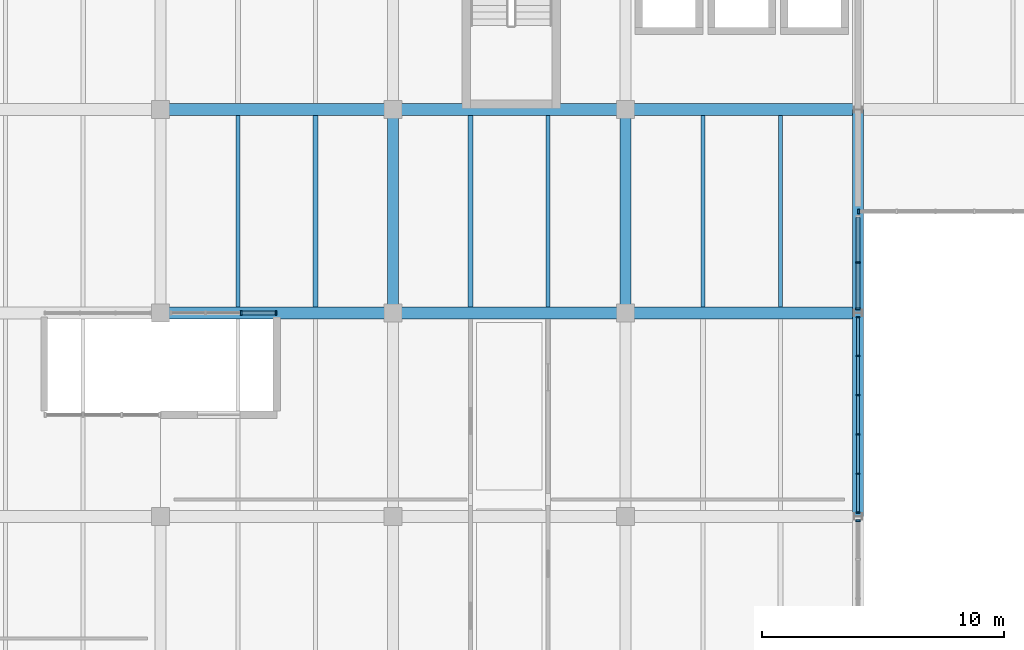
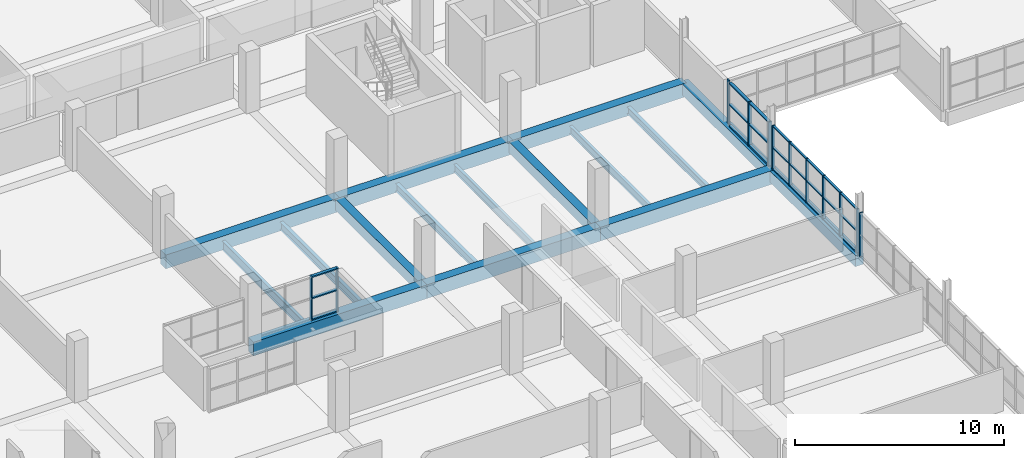
# One storey, part 35 of 147: 36 members, 16 beams, 5 elements without a shape of their own.
"""IFC4 building model written with IfcOpenShell, lengths in metres."""

from ifc_helpers import new_model, si_unit, direction, frame, origin, origin_2d, place, context, subcontext, project, spatial, rectangle, i_section, extrude, material, material_profile, profile_set, type_object, element, aggregate, save


model = new_model("IFC4")

# Units and contexts
model_context = context("Model", 3, precision=1e-05, world=origin(), true_north=direction((0.0, 1.0)))
body_context = subcontext(model_context, "Body", "Model", "MODEL_VIEW")
ifc_project = project(units=[si_unit("LENGTHUNIT", "METRE"), si_unit("AREAUNIT", "SQUARE_METRE"), si_unit("VOLUMEUNIT", "CUBIC_METRE"), si_unit("PLANEANGLEUNIT", "RADIAN"), si_unit("MASSUNIT", "GRAM", prefix="KILO")], contexts=[model_context])

# Site, building, storey
site_placement = place(None, origin())
site = spatial("IfcSite", under=ifc_project, at=site_placement, CompositionType="ELEMENT")
building_placement = place(site_placement, origin())
building = spatial("IfcBuilding", under=site, at=building_placement, Name="Oolite Switchyard Hospital", CompositionType="ELEMENT")
storey_placement = place(building_placement, frame((0.0, 0.0, 9.89990234375)))
storey = spatial("IfcBuildingStorey", under=building, at=storey_placement, Name="L02", CompositionType="ELEMENT", Elevation=9.89990234375)

# Beams
ifc_material_1 = material(Name="Concrete C40/50", Category="concrete")
ifc_material_profile_1 = material_profile(ifc_material_1, rectangle(XDim=0.449951171875, YDim=0.64990234375, at=origin_2d()), Name="RCB450X650")
ifc_profile_set_1 = profile_set([ifc_material_profile_1], Name="Concrete C40/50")
beam_type_1 = type_object("IfcBeamType", Name="BM-RC450X650", PredefinedType="BEAM", material=ifc_profile_set_1)
for number, where, z_axis, x_axis, name in (
    (1, (38.39990234375, 84.0, -0.324951171875), (0.0, 1.0, 0.0), (-1.0, 0.0, 0.0), "L02 Y-Girder 1318"),
    (2, (48.0, 84.0, -0.324951171875), (0.0, 1.0, 0.0), (-1.0, 0.0, 0.0), "L02 Y-Girder 1334"),
    (3, (57.60009765625, 75.60009765625, -0.324951171875), (0.0, 1.0, 0.0), (-1.0, 0.0, 0.0), "L02 Y-Girder 1349"),
    (4, (57.60009765625, 84.0, -0.324951171875), (0.0, 1.0, 0.0), (-1.0, 0.0, 0.0), "L02 Y-Girder 1350"),
):
    element("IfcBeam", number, at=place(storey_placement, frame(where, z_axis=z_axis, x_axis=x_axis)), inside=storey, type_object=beam_type_1, Name=name, PredefinedType="BEAM", context=body_context, shape_type="SweptSolid", body=[
        extrude(rectangle(XDim=0.449951171875, YDim=0.64990234375, at=origin_2d()), origin(), (0.0, 0.0, 1.0), 8.39990234375),
    ])
ifc_material_profile_2 = material_profile(ifc_material_1, rectangle(XDim=0.5, YDim=0.800048828125, at=origin_2d()), Name="RCB500X800")
ifc_profile_set_2 = profile_set([ifc_material_profile_2], Name="Concrete C40/50")
beam_type_2 = type_object("IfcBeamType", Name="BM-RC500X800", PredefinedType="BEAM", material=ifc_profile_set_2)
beam_1_placement = place(storey_placement, frame((28.800048828125, 84.0, -0.39990234375), z_axis=(1.0, 0.0, 0.0), x_axis=(0.0, 1.0, 0.0)))
element("IfcBeam", 5, at=beam_1_placement, inside=storey, type_object=beam_type_2, Name="L02 X-Girder 1128", PredefinedType="BEAM", context=body_context, shape_type="SweptSolid", body=[
    extrude(rectangle(XDim=0.5, YDim=0.800048828125, at=origin_2d()), origin(), (0.0, 0.0, 1.0), 9.599853515625),
])
for number, where, z_axis, x_axis, name in (
    (6, (38.39990234375, 84.0, -0.39990234375), (1.0, 0.0, 0.0), (0.0, 1.0, 0.0), "L02 X-Girder 1129"),
    (7, (48.0, 84.0, -0.39990234375), (1.0, 0.0, 0.0), (0.0, 1.0, 0.0), "L02 X-Girder 1130"),
):
    element("IfcBeam", number, at=place(storey_placement, frame(where, z_axis=z_axis, x_axis=x_axis)), inside=storey, type_object=beam_type_2, Name=name, PredefinedType="BEAM", context=body_context, shape_type="SweptSolid", body=[
        extrude(rectangle(XDim=0.5, YDim=0.800048828125, at=origin_2d()), origin(), (0.0, 0.0, 1.0), 9.60009765625),
    ])
beam_2_placement = place(storey_placement, frame((28.800048828125, 92.39990234375, -0.39990234375), z_axis=(1.0, 0.0, 0.0), x_axis=(0.0, 1.0, 0.0)))
element("IfcBeam", 8, at=beam_2_placement, inside=storey, type_object=beam_type_2, Name="L02 X-Girder 1145", PredefinedType="BEAM", context=body_context, shape_type="SweptSolid", body=[
    extrude(rectangle(XDim=0.5, YDim=0.800048828125, at=origin_2d()), origin(), (0.0, 0.0, 1.0), 9.599853515625),
])
for number, where, z_axis, x_axis, name in (
    (9, (38.39990234375, 92.39990234375, -0.39990234375), (1.0, 0.0, 0.0), (0.0, 1.0, 0.0), "L02 X-Girder 1146"),
    (10, (48.0, 92.39990234375, -0.39990234375), (1.0, 0.0, 0.0), (0.0, 1.0, 0.0), "L02 X-Girder 1147"),
):
    element("IfcBeam", number, at=place(storey_placement, frame(where, z_axis=z_axis, x_axis=x_axis)), inside=storey, type_object=beam_type_2, Name=name, PredefinedType="BEAM", context=body_context, shape_type="SweptSolid", body=[
        extrude(rectangle(XDim=0.5, YDim=0.800048828125, at=origin_2d()), origin(), (0.0, 0.0, 1.0), 9.60009765625),
    ])
ifc_material_2 = material(Name="Steel ASTM A992 Grade 50", Category="steel")
ifc_material_profile_3 = material_profile(ifc_material_2, i_section(OverallWidth=0.179931640625, OverallDepth=0.4130859375, WebThickness=0.010009765625, FlangeThickness=0.01611328125, at=origin_2d()), Name="W16X50")
ifc_profile_set_3 = profile_set([ifc_material_profile_3], Name="Steel ASTM A992 Grade 50")
beam_type_3 = type_object("IfcBeamType", Name="BM-W16X50", PredefinedType="JOIST", material=ifc_profile_set_3)
beam_3_placement = place(storey_placement, frame((54.39990234375, 84.25, -0.4658203125), z_axis=(0.0, 1.0, 0.0), x_axis=(-1.0, 0.0, 0.0)))
element("IfcBeam", 11, at=beam_3_placement, inside=storey, type_object=beam_type_3, Name="L02 Secondary Steel Joist 1671", PredefinedType="JOIST", context=body_context, shape_type="SweptSolid", body=[
    extrude(i_section(OverallWidth=0.179931640625, OverallDepth=0.4130859375, WebThickness=0.010009765625, FlangeThickness=0.01611328125, at=origin_2d()), origin(), (0.0, 0.0, 1.0), 7.89990234375),
])
ifc_material_profile_4 = material_profile(ifc_material_2, i_section(OverallWidth=0.153076171875, OverallDepth=0.455078125, WebThickness=0.008056640625, FlangeThickness=0.012939453125, at=origin_2d()), Name="W18X40")
ifc_profile_set_4 = profile_set([ifc_material_profile_4], Name="Steel ASTM A992 Grade 50")
beam_type_4 = type_object("IfcBeamType", Name="BM-W18X40", PredefinedType="JOIST", material=ifc_profile_set_4)
for number, where, z_axis, x_axis, name in (
    (12, (44.800048828125, 84.25, -0.48681640625), (0.0, 1.0, 0.0), (-1.0, 0.0, 0.0), "L02 Secondary Steel Joist 1643"),
    (13, (51.199951171875, 84.25, -0.48681640625), (0.0, 1.0, 0.0), (-1.0, 0.0, 0.0), "L02 Secondary Steel Joist 1670"),
):
    element("IfcBeam", number, at=place(storey_placement, frame(where, z_axis=z_axis, x_axis=x_axis)), inside=storey, type_object=beam_type_4, Name=name, PredefinedType="JOIST", context=body_context, shape_type="SweptSolid", body=[
        extrude(i_section(OverallWidth=0.153076171875, OverallDepth=0.455078125, WebThickness=0.008056640625, FlangeThickness=0.012939453125, at=origin_2d()), origin(), (0.0, 0.0, 1.0), 7.89990234375),
    ])
ifc_material_profile_5 = material_profile(ifc_material_2, i_section(OverallWidth=0.19091796875, OverallDepth=0.4599609375, WebThickness=0.010009765625, FlangeThickness=0.01611328125, at=origin_2d()), Name="W18X55")
ifc_profile_set_5 = profile_set([ifc_material_profile_5], Name="Steel ASTM A992 Grade 50")
beam_type_5 = type_object("IfcBeamType", Name="BM-W18X55", PredefinedType="JOIST", material=ifc_profile_set_5)
for number, where, z_axis, x_axis, name in (
    (14, (35.199951171875, 84.25, -0.489990234375), (0.0, 1.0, 0.0), (-1.0, 0.0, 0.0), "L02 Secondary Steel Joist 1613"),
    (15, (41.60009765625, 84.25, -0.489990234375), (0.0, 1.0, 0.0), (-1.0, 0.0, 0.0), "L02 Secondary Steel Joist 1642"),
):
    element("IfcBeam", number, at=place(storey_placement, frame(where, z_axis=z_axis, x_axis=x_axis)), inside=storey, type_object=beam_type_5, Name=name, PredefinedType="JOIST", context=body_context, shape_type="SweptSolid", body=[
        extrude(i_section(OverallWidth=0.19091796875, OverallDepth=0.4599609375, WebThickness=0.010009765625, FlangeThickness=0.01611328125, at=origin_2d()), origin(), (0.0, 0.0, 1.0), 7.89990234375),
    ])
ifc_material_profile_6 = material_profile(ifc_material_2, i_section(OverallWidth=0.166015625, OverallDepth=0.529052734375, WebThickness=0.010009765625, FlangeThickness=0.013916015625, at=origin_2d()), Name="W21X50")
ifc_profile_set_6 = profile_set([ifc_material_profile_6], Name="Steel ASTM A992 Grade 50")
beam_type_6 = type_object("IfcBeamType", Name="BM-W21X50", PredefinedType="JOIST", material=ifc_profile_set_6)
beam_4_placement = place(storey_placement, frame((32.0, 84.25, -0.52392578125), z_axis=(0.0, 1.0, 0.0), x_axis=(-1.0, 0.0, 0.0)))
element("IfcBeam", 16, at=beam_4_placement, inside=storey, type_object=beam_type_6, Name="L02 Secondary Steel Joist 1612", PredefinedType="JOIST", context=body_context, shape_type="SweptSolid", body=[
    extrude(i_section(OverallWidth=0.166015625, OverallDepth=0.529052734375, WebThickness=0.010009765625, FlangeThickness=0.013916015625, at=origin_2d()), origin(), (0.0, 0.0, 1.0), 7.89990234375),
])

# Curtain wall, members
ifc_material_3 = material(Name="Thermally broken aluminum frame with laminated impact glazing", Category="aluminium")
curtain_wall_type_1 = type_object("IfcCurtainWallType", Name="CW-UNIT-84X36", PredefinedType="USERDEFINED", material=ifc_material_3)
curtain_wall_1_placement = place(storey_placement, origin())
curtain_wall_1 = element("IfcCurtainWall", 17, at=curtain_wall_1_placement, inside=storey, type_object=curtain_wall_type_1, Name="L02 Unitised Curtain Wall 286", ObjectType="UNITISED", PredefinedType="USERDEFINED")
ifc_material_4 = material(Name="Aluminium 6063-T6", Category="aluminium")
ifc_material_profile_7 = material_profile(ifc_material_4, rectangle(XDim=0.159912109375, YDim=0.06005859375, at=origin_2d()), Name="CWM60X160")
ifc_profile_set_7 = profile_set([ifc_material_profile_7], Name="Aluminium 6063-T6")
member_type_1 = type_object("IfcMemberType", Name="CW-MUL-180", PredefinedType="MULLION", material=ifc_profile_set_7)
member_1_placement = place(storey_placement, frame((57.60009765625, 83.827880859375, 0.0), z_axis=(0.0, 0.0, 1.0), x_axis=(1.0, 0.0, 0.0)))
member_1 = element("IfcMember", 18, at=member_1_placement, type_object=member_type_1, Name="CW-08 mullion 1", PredefinedType="MULLION", context=body_context, shape_type="SweptSolid", body=[
    extrude(rectangle(XDim=0.159912109375, YDim=0.06005859375, at=origin_2d()), origin(), (0.0, 0.0, 1.0), 2.570068359375),
])
member_2_placement = place(storey_placement, frame((57.60009765625, 82.23486328125, 0.0), z_axis=(0.0, 0.0, 1.0), x_axis=(1.0, 0.0, 0.0)))
member_2 = element("IfcMember", 19, at=member_2_placement, type_object=member_type_1, Name="CW-08 mullion 2", PredefinedType="MULLION", context=body_context, shape_type="SweptSolid", body=[
    extrude(rectangle(XDim=0.159912109375, YDim=0.06005859375, at=origin_2d()), origin(), (0.0, 0.0, 1.0), 2.570068359375),
])
member_3_placement = place(storey_placement, frame((57.60009765625, 80.611572265625, 0.0), z_axis=(0.0, 0.0, 1.0), x_axis=(1.0, 0.0, 0.0)))
member_3 = element("IfcMember", 20, at=member_3_placement, type_object=member_type_1, Name="CW-08 mullion 3", PredefinedType="MULLION", context=body_context, shape_type="SweptSolid", body=[
    extrude(rectangle(XDim=0.159912109375, YDim=0.06005859375, at=origin_2d()), origin(), (0.0, 0.0, 1.0), 2.570068359375),
])
member_4_placement = place(storey_placement, frame((57.60009765625, 78.98828125, 0.0), z_axis=(0.0, 0.0, 1.0), x_axis=(1.0, 0.0, 0.0)))
member_4 = element("IfcMember", 21, at=member_4_placement, type_object=member_type_1, Name="CW-08 mullion 4", PredefinedType="MULLION", context=body_context, shape_type="SweptSolid", body=[
    extrude(rectangle(XDim=0.159912109375, YDim=0.06005859375, at=origin_2d()), origin(), (0.0, 0.0, 1.0), 2.570068359375),
])
member_5_placement = place(storey_placement, frame((57.60009765625, 77.365234375, 0.0), z_axis=(0.0, 0.0, 1.0), x_axis=(1.0, 0.0, 0.0)))
member_5 = element("IfcMember", 22, at=member_5_placement, type_object=member_type_1, Name="CW-08 mullion 5", PredefinedType="MULLION", context=body_context, shape_type="SweptSolid", body=[
    extrude(rectangle(XDim=0.159912109375, YDim=0.06005859375, at=origin_2d()), origin(), (0.0, 0.0, 1.0), 2.570068359375),
])
member_6_placement = place(storey_placement, frame((57.60009765625, 75.77197265625, 0.0), z_axis=(0.0, 0.0, 1.0), x_axis=(1.0, 0.0, 0.0)))
member_6 = element("IfcMember", 23, at=member_6_placement, type_object=member_type_1, Name="CW-08 mullion 6", PredefinedType="MULLION", context=body_context, shape_type="SweptSolid", body=[
    extrude(rectangle(XDim=0.159912109375, YDim=0.06005859375, at=origin_2d()), origin(), (0.0, 0.0, 1.0), 2.570068359375),
])

curtain_wall_2_placement = place(storey_placement, origin())
curtain_wall_2 = element("IfcCurtainWall", 24, at=curtain_wall_2_placement, inside=storey, type_object=curtain_wall_type_1, Name="L02 Unitised Curtain Wall 251", ObjectType="UNITISED", PredefinedType="USERDEFINED")
ifc_material_profile_8 = material_profile(ifc_material_4, rectangle(XDim=0.179931640625, YDim=0.070068359375, at=origin_2d()), Name="CWM70X180")
ifc_profile_set_8 = profile_set([ifc_material_profile_8], Name="Aluminium 6063-T6")
member_type_2 = type_object("IfcMemberType", Name="CW-MUL-220", PredefinedType="MULLION", material=ifc_profile_set_8)
member_7_placement = place(storey_placement, frame((33.56494140625, 84.0, 0.0), z_axis=(0.0, 0.0, 1.0), x_axis=(0.0, -1.0, 0.0)))
member_7 = element("IfcMember", 25, at=member_7_placement, type_object=member_type_2, Name="CW-08 mullion 1", PredefinedType="MULLION", context=body_context, shape_type="SweptSolid", body=[
    extrude(rectangle(XDim=0.179931640625, YDim=0.070068359375, at=origin_2d()), origin(), (0.0, 0.0, 1.0), 2.570068359375),
])
member_8_placement = place(storey_placement, frame((32.1298828125, 84.0, 0.0), z_axis=(0.0, 0.0, 1.0), x_axis=(0.0, -1.0, 0.0)))
member_8 = element("IfcMember", 26, at=member_8_placement, type_object=member_type_2, Name="CW-08 mullion 2", PredefinedType="MULLION", context=body_context, shape_type="SweptSolid", body=[
    extrude(rectangle(XDim=0.179931640625, YDim=0.070068359375, at=origin_2d()), origin(), (0.0, 0.0, 1.0), 2.570068359375),
])

# Curtain wall, member
curtain_wall_type_2 = type_object("IfcCurtainWallType", Name="CW-UNIT-96X36", PredefinedType="USERDEFINED", material=ifc_material_3)
curtain_wall_3_placement = place(storey_placement, origin())
curtain_wall_3 = element("IfcCurtainWall", 27, at=curtain_wall_3_placement, inside=storey, type_object=curtain_wall_type_2, Name="L02 Unitised Curtain Wall 257", ObjectType="UNITISED", PredefinedType="USERDEFINED")
member_9_placement = place(storey_placement, frame((57.635009765625, 88.199951171875, 0.0), z_axis=(0.0, 0.0, 1.0), x_axis=(0.0, -1.0, 0.0)))
member_9 = element("IfcMember", 28, at=member_9_placement, type_object=member_type_2, Name="CW-03 mullion 7", PredefinedType="MULLION", context=body_context, shape_type="SweptSolid", body=[
    extrude(rectangle(XDim=0.179931640625, YDim=0.070068359375, at=origin_2d()), origin(), (0.0, 0.0, 1.0), 2.570068359375),
])
aggregate(curtain_wall_3, [member_9])

curtain_wall_4_placement = place(storey_placement, origin())
curtain_wall_4 = element("IfcCurtainWall", 29, at=curtain_wall_4_placement, inside=storey, type_object=curtain_wall_type_1, Name="L02 Unitised Curtain Wall 287", ObjectType="UNITISED", PredefinedType="USERDEFINED")
member_10_placement = place(storey_placement, frame((57.60009765625, 75.423095703125, 0.0), z_axis=(0.0, 0.0, 1.0), x_axis=(1.0, 0.0, 0.0)))
member_10 = element("IfcMember", 30, at=member_10_placement, type_object=member_type_2, Name="CW-08 mullion 1", PredefinedType="MULLION", context=body_context, shape_type="SweptSolid", body=[
    extrude(rectangle(XDim=0.179931640625, YDim=0.070068359375, at=origin_2d()), origin(), (0.0, 0.0, 1.0), 2.570068359375),
])
aggregate(curtain_wall_4, [member_10])

# Curtain wall, members
curtain_wall_5_placement = place(storey_placement, origin())
curtain_wall_5 = element("IfcCurtainWall", 31, at=curtain_wall_5_placement, inside=storey, type_object=curtain_wall_type_1, Name="L02 Unitised Curtain Wall 285", ObjectType="UNITISED", PredefinedType="USERDEFINED")
ifc_material_profile_9 = material_profile(ifc_material_4, rectangle(XDim=0.199951171875, YDim=0.074951171875, at=origin_2d()), Name="CWM75X200")
ifc_profile_set_9 = profile_set([ifc_material_profile_9], Name="Aluminium 6063-T6")
member_type_3 = type_object("IfcMemberType", Name="CW-MUL-260", PredefinedType="MULLION", material=ifc_profile_set_9)
member_11_placement = place(storey_placement, frame((57.60009765625, 86.091064453125, 0.0), z_axis=(0.0, 0.0, 1.0), x_axis=(1.0, 0.0, 0.0)))
member_11 = element("IfcMember", 32, at=member_11_placement, type_object=member_type_3, Name="CW-08 mullion 2", PredefinedType="MULLION", context=body_context, shape_type="SweptSolid", body=[
    extrude(rectangle(XDim=0.199951171875, YDim=0.074951171875, at=origin_2d()), origin(), (0.0, 0.0, 1.0), 2.570068359375),
])
member_12_placement = place(storey_placement, frame((57.60009765625, 84.179443359375, 0.0), z_axis=(0.0, 0.0, 1.0), x_axis=(1.0, 0.0, 0.0)))
member_12 = element("IfcMember", 33, at=member_12_placement, type_object=member_type_3, Name="CW-08 mullion 3", PredefinedType="MULLION", context=body_context, shape_type="SweptSolid", body=[
    extrude(rectangle(XDim=0.199951171875, YDim=0.074951171875, at=origin_2d()), origin(), (0.0, 0.0, 1.0), 2.570068359375),
])

# Member
ifc_material_profile_10 = material_profile(ifc_material_4, rectangle(XDim=0.1201171875, YDim=0.06005859375, at=origin_2d()), Name="CWT60X120")
ifc_profile_set_10 = profile_set([ifc_material_profile_10], Name="Aluminium 6063-T6")
member_type_4 = type_object("IfcMemberType", Name="CW-TRN-150", PredefinedType="USERDEFINED", material=ifc_profile_set_10)
member_13_placement = place(storey_placement, frame((57.60009765625, 83.798095703125, 0.030029296875), z_axis=(0.0, -1.0, 0.0), x_axis=(1.0, 0.0, 0.0)))
member_13 = element("IfcMember", 34, at=member_13_placement, type_object=member_type_4, Name="CW-08 transom 1.1", ObjectType="TRANSOM", PredefinedType="USERDEFINED", context=body_context, shape_type="SweptSolid", body=[
    extrude(rectangle(XDim=0.1201171875, YDim=0.06005859375, at=origin_2d()), origin(), (0.0, 0.0, 1.0), 1.533203125),
])

member_14_placement = place(storey_placement, frame((57.60009765625, 83.798095703125, 1.28515625), z_axis=(0.0, -1.0, 0.0), x_axis=(1.0, 0.0, 0.0)))
member_14 = element("IfcMember", 35, at=member_14_placement, type_object=member_type_4, Name="CW-08 transom 1.2", ObjectType="TRANSOM", PredefinedType="USERDEFINED", context=body_context, shape_type="SweptSolid", body=[
    extrude(rectangle(XDim=0.1201171875, YDim=0.06005859375, at=origin_2d()), origin(), (0.0, 0.0, 1.0), 1.533203125),
])

member_15_placement = place(storey_placement, frame((57.60009765625, 83.798095703125, 2.5400390625), z_axis=(0.0, -1.0, 0.0), x_axis=(1.0, 0.0, 0.0)))
member_15 = element("IfcMember", 36, at=member_15_placement, type_object=member_type_4, Name="CW-08 transom 1.3", ObjectType="TRANSOM", PredefinedType="USERDEFINED", context=body_context, shape_type="SweptSolid", body=[
    extrude(rectangle(XDim=0.1201171875, YDim=0.06005859375, at=origin_2d()), origin(), (0.0, 0.0, 1.0), 1.533203125),
])

member_16_placement = place(storey_placement, frame((57.60009765625, 82.204833984375, 0.030029296875), z_axis=(0.0, -1.0, 0.0), x_axis=(1.0, 0.0, 0.0)))
member_16 = element("IfcMember", 37, at=member_16_placement, type_object=member_type_4, Name="CW-08 transom 2.1", ObjectType="TRANSOM", PredefinedType="USERDEFINED", context=body_context, shape_type="SweptSolid", body=[
    extrude(rectangle(XDim=0.1201171875, YDim=0.06005859375, at=origin_2d()), origin(), (0.0, 0.0, 1.0), 1.563232421875),
])

member_17_placement = place(storey_placement, frame((57.60009765625, 82.204833984375, 1.28515625), z_axis=(0.0, -1.0, 0.0), x_axis=(1.0, 0.0, 0.0)))
member_17 = element("IfcMember", 38, at=member_17_placement, type_object=member_type_4, Name="CW-08 transom 2.2", ObjectType="TRANSOM", PredefinedType="USERDEFINED", context=body_context, shape_type="SweptSolid", body=[
    extrude(rectangle(XDim=0.1201171875, YDim=0.06005859375, at=origin_2d()), origin(), (0.0, 0.0, 1.0), 1.563232421875),
])

member_18_placement = place(storey_placement, frame((57.60009765625, 82.204833984375, 2.5400390625), z_axis=(0.0, -1.0, 0.0), x_axis=(1.0, 0.0, 0.0)))
member_18 = element("IfcMember", 39, at=member_18_placement, type_object=member_type_4, Name="CW-08 transom 2.3", ObjectType="TRANSOM", PredefinedType="USERDEFINED", context=body_context, shape_type="SweptSolid", body=[
    extrude(rectangle(XDim=0.1201171875, YDim=0.06005859375, at=origin_2d()), origin(), (0.0, 0.0, 1.0), 1.563232421875),
])

member_19_placement = place(storey_placement, frame((57.60009765625, 80.58154296875, 0.030029296875), z_axis=(0.0, -1.0, 0.0), x_axis=(1.0, 0.0, 0.0)))
member_19 = element("IfcMember", 40, at=member_19_placement, type_object=member_type_4, Name="CW-08 transom 3.1", ObjectType="TRANSOM", PredefinedType="USERDEFINED", context=body_context, shape_type="SweptSolid", body=[
    extrude(rectangle(XDim=0.1201171875, YDim=0.06005859375, at=origin_2d()), origin(), (0.0, 0.0, 1.0), 1.563232421875),
])

member_20_placement = place(storey_placement, frame((57.60009765625, 80.58154296875, 1.28515625), z_axis=(0.0, -1.0, 0.0), x_axis=(1.0, 0.0, 0.0)))
member_20 = element("IfcMember", 41, at=member_20_placement, type_object=member_type_4, Name="CW-08 transom 3.2", ObjectType="TRANSOM", PredefinedType="USERDEFINED", context=body_context, shape_type="SweptSolid", body=[
    extrude(rectangle(XDim=0.1201171875, YDim=0.06005859375, at=origin_2d()), origin(), (0.0, 0.0, 1.0), 1.563232421875),
])

member_21_placement = place(storey_placement, frame((57.60009765625, 80.58154296875, 2.5400390625), z_axis=(0.0, -1.0, 0.0), x_axis=(1.0, 0.0, 0.0)))
member_21 = element("IfcMember", 42, at=member_21_placement, type_object=member_type_4, Name="CW-08 transom 3.3", ObjectType="TRANSOM", PredefinedType="USERDEFINED", context=body_context, shape_type="SweptSolid", body=[
    extrude(rectangle(XDim=0.1201171875, YDim=0.06005859375, at=origin_2d()), origin(), (0.0, 0.0, 1.0), 1.563232421875),
])

member_22_placement = place(storey_placement, frame((57.60009765625, 78.95849609375, 0.030029296875), z_axis=(0.0, -1.0, 0.0), x_axis=(1.0, 0.0, 0.0)))
member_22 = element("IfcMember", 43, at=member_22_placement, type_object=member_type_4, Name="CW-08 transom 4.1", ObjectType="TRANSOM", PredefinedType="USERDEFINED", context=body_context, shape_type="SweptSolid", body=[
    extrude(rectangle(XDim=0.1201171875, YDim=0.06005859375, at=origin_2d()), origin(), (0.0, 0.0, 1.0), 1.563232421875),
])

member_23_placement = place(storey_placement, frame((57.60009765625, 78.95849609375, 1.28515625), z_axis=(0.0, -1.0, 0.0), x_axis=(1.0, 0.0, 0.0)))
member_23 = element("IfcMember", 44, at=member_23_placement, type_object=member_type_4, Name="CW-08 transom 4.2", ObjectType="TRANSOM", PredefinedType="USERDEFINED", context=body_context, shape_type="SweptSolid", body=[
    extrude(rectangle(XDim=0.1201171875, YDim=0.06005859375, at=origin_2d()), origin(), (0.0, 0.0, 1.0), 1.563232421875),
])

member_24_placement = place(storey_placement, frame((57.60009765625, 78.95849609375, 2.5400390625), z_axis=(0.0, -1.0, 0.0), x_axis=(1.0, 0.0, 0.0)))
member_24 = element("IfcMember", 45, at=member_24_placement, type_object=member_type_4, Name="CW-08 transom 4.3", ObjectType="TRANSOM", PredefinedType="USERDEFINED", context=body_context, shape_type="SweptSolid", body=[
    extrude(rectangle(XDim=0.1201171875, YDim=0.06005859375, at=origin_2d()), origin(), (0.0, 0.0, 1.0), 1.563232421875),
])

member_25_placement = place(storey_placement, frame((57.60009765625, 77.335205078125, 0.030029296875), z_axis=(0.0, -1.0, 0.0), x_axis=(1.0, 0.0, 0.0)))
member_25 = element("IfcMember", 46, at=member_25_placement, type_object=member_type_4, Name="CW-08 transom 5.1", ObjectType="TRANSOM", PredefinedType="USERDEFINED", context=body_context, shape_type="SweptSolid", body=[
    extrude(rectangle(XDim=0.1201171875, YDim=0.06005859375, at=origin_2d()), origin(), (0.0, 0.0, 1.0), 1.533203125),
])

member_26_placement = place(storey_placement, frame((57.60009765625, 77.335205078125, 1.28515625), z_axis=(0.0, -1.0, 0.0), x_axis=(1.0, 0.0, 0.0)))
member_26 = element("IfcMember", 47, at=member_26_placement, type_object=member_type_4, Name="CW-08 transom 5.2", ObjectType="TRANSOM", PredefinedType="USERDEFINED", context=body_context, shape_type="SweptSolid", body=[
    extrude(rectangle(XDim=0.1201171875, YDim=0.06005859375, at=origin_2d()), origin(), (0.0, 0.0, 1.0), 1.533203125),
])

member_27_placement = place(storey_placement, frame((57.60009765625, 77.335205078125, 2.5400390625), z_axis=(0.0, -1.0, 0.0), x_axis=(1.0, 0.0, 0.0)))
member_27 = element("IfcMember", 48, at=member_27_placement, type_object=member_type_4, Name="CW-08 transom 5.3", ObjectType="TRANSOM", PredefinedType="USERDEFINED", context=body_context, shape_type="SweptSolid", body=[
    extrude(rectangle(XDim=0.1201171875, YDim=0.06005859375, at=origin_2d()), origin(), (0.0, 0.0, 1.0), 1.533203125),
])

aggregate(curtain_wall_1, [member_1, member_2, member_3, member_4, member_5, member_6, member_13, member_14, member_15, member_16, member_17, member_18, member_19, member_20, member_21, member_22, member_23, member_24, member_25, member_26, member_27])

ifc_material_profile_11 = material_profile(ifc_material_4, rectangle(XDim=0.159912109375, YDim=0.074951171875, at=origin_2d()), Name="CWT75X160")
ifc_profile_set_11 = profile_set([ifc_material_profile_11], Name="Aluminium 6063-T6")
member_type_5 = type_object("IfcMemberType", Name="CW-TRN-180", PredefinedType="USERDEFINED", material=ifc_profile_set_11)
member_28_placement = place(storey_placement, frame((33.530029296875, 84.0, 0.03759765625), z_axis=(-1.0, 0.0, 0.0), x_axis=(0.0, -1.0, 0.0)))
member_28 = element("IfcMember", 49, at=member_28_placement, type_object=member_type_5, Name="CW-08 transom 1.1", ObjectType="TRANSOM", PredefinedType="USERDEFINED", context=body_context, shape_type="SweptSolid", body=[
    extrude(rectangle(XDim=0.159912109375, YDim=0.074951171875, at=origin_2d()), origin(), (0.0, 0.0, 1.0), 1.364990234375),
])

member_29_placement = place(storey_placement, frame((33.530029296875, 84.0, 1.28515625), z_axis=(-1.0, 0.0, 0.0), x_axis=(0.0, -1.0, 0.0)))
member_29 = element("IfcMember", 50, at=member_29_placement, type_object=member_type_5, Name="CW-08 transom 1.2", ObjectType="TRANSOM", PredefinedType="USERDEFINED", context=body_context, shape_type="SweptSolid", body=[
    extrude(rectangle(XDim=0.159912109375, YDim=0.074951171875, at=origin_2d()), origin(), (0.0, 0.0, 1.0), 1.364990234375),
])

member_30_placement = place(storey_placement, frame((33.530029296875, 84.0, 2.53271484375), z_axis=(-1.0, 0.0, 0.0), x_axis=(0.0, -1.0, 0.0)))
member_30 = element("IfcMember", 51, at=member_30_placement, type_object=member_type_5, Name="CW-08 transom 1.3", ObjectType="TRANSOM", PredefinedType="USERDEFINED", context=body_context, shape_type="SweptSolid", body=[
    extrude(rectangle(XDim=0.159912109375, YDim=0.074951171875, at=origin_2d()), origin(), (0.0, 0.0, 1.0), 1.364990234375),
])

aggregate(curtain_wall_2, [member_7, member_8, member_28, member_29, member_30])

member_31_placement = place(storey_placement, frame((57.60009765625, 87.965087890625, 0.03759765625), z_axis=(0.0, -1.0, 0.0), x_axis=(1.0, 0.0, 0.0)))
member_31 = element("IfcMember", 52, at=member_31_placement, type_object=member_type_5, Name="CW-08 transom 1.1", ObjectType="TRANSOM", PredefinedType="USERDEFINED", context=body_context, shape_type="SweptSolid", body=[
    extrude(rectangle(XDim=0.159912109375, YDim=0.074951171875, at=origin_2d()), origin(), (0.0, 0.0, 1.0), 1.836669921875),
])

member_32_placement = place(storey_placement, frame((57.60009765625, 87.965087890625, 1.28515625), z_axis=(0.0, -1.0, 0.0), x_axis=(1.0, 0.0, 0.0)))
member_32 = element("IfcMember", 53, at=member_32_placement, type_object=member_type_5, Name="CW-08 transom 1.2", ObjectType="TRANSOM", PredefinedType="USERDEFINED", context=body_context, shape_type="SweptSolid", body=[
    extrude(rectangle(XDim=0.159912109375, YDim=0.074951171875, at=origin_2d()), origin(), (0.0, 0.0, 1.0), 1.836669921875),
])

member_33_placement = place(storey_placement, frame((57.60009765625, 87.965087890625, 2.53271484375), z_axis=(0.0, -1.0, 0.0), x_axis=(1.0, 0.0, 0.0)))
member_33 = element("IfcMember", 54, at=member_33_placement, type_object=member_type_5, Name="CW-08 transom 1.3", ObjectType="TRANSOM", PredefinedType="USERDEFINED", context=body_context, shape_type="SweptSolid", body=[
    extrude(rectangle(XDim=0.159912109375, YDim=0.074951171875, at=origin_2d()), origin(), (0.0, 0.0, 1.0), 1.836669921875),
])

member_34_placement = place(storey_placement, frame((57.60009765625, 86.053466796875, 0.03759765625), z_axis=(0.0, -1.0, 0.0), x_axis=(1.0, 0.0, 0.0)))
member_34 = element("IfcMember", 55, at=member_34_placement, type_object=member_type_5, Name="CW-08 transom 2.1", ObjectType="TRANSOM", PredefinedType="USERDEFINED", context=body_context, shape_type="SweptSolid", body=[
    extrude(rectangle(XDim=0.159912109375, YDim=0.074951171875, at=origin_2d()), origin(), (0.0, 0.0, 1.0), 1.83642578125),
])

member_35_placement = place(storey_placement, frame((57.60009765625, 86.053466796875, 1.28515625), z_axis=(0.0, -1.0, 0.0), x_axis=(1.0, 0.0, 0.0)))
member_35 = element("IfcMember", 56, at=member_35_placement, type_object=member_type_5, Name="CW-08 transom 2.2", ObjectType="TRANSOM", PredefinedType="USERDEFINED", context=body_context, shape_type="SweptSolid", body=[
    extrude(rectangle(XDim=0.159912109375, YDim=0.074951171875, at=origin_2d()), origin(), (0.0, 0.0, 1.0), 1.83642578125),
])

member_36_placement = place(storey_placement, frame((57.60009765625, 86.053466796875, 2.53271484375), z_axis=(0.0, -1.0, 0.0), x_axis=(1.0, 0.0, 0.0)))
member_36 = element("IfcMember", 57, at=member_36_placement, type_object=member_type_5, Name="CW-08 transom 2.3", ObjectType="TRANSOM", PredefinedType="USERDEFINED", context=body_context, shape_type="SweptSolid", body=[
    extrude(rectangle(XDim=0.159912109375, YDim=0.074951171875, at=origin_2d()), origin(), (0.0, 0.0, 1.0), 1.83642578125),
])

aggregate(curtain_wall_5, [member_11, member_12, member_31, member_32, member_33, member_34, member_35, member_36])

save(model, "model.ifc")
